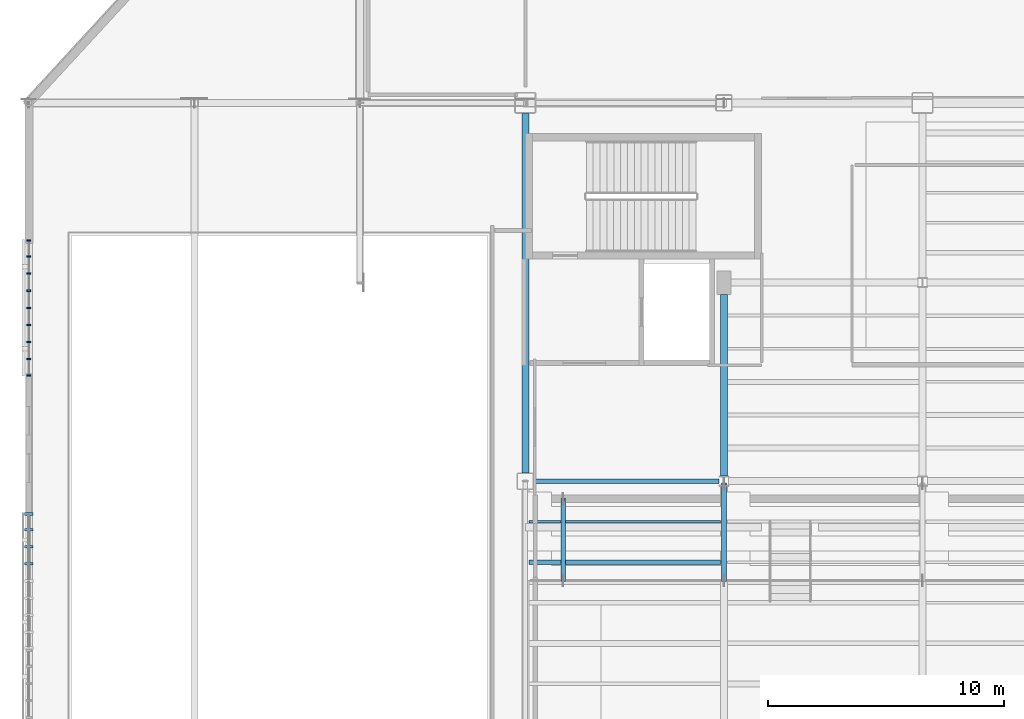
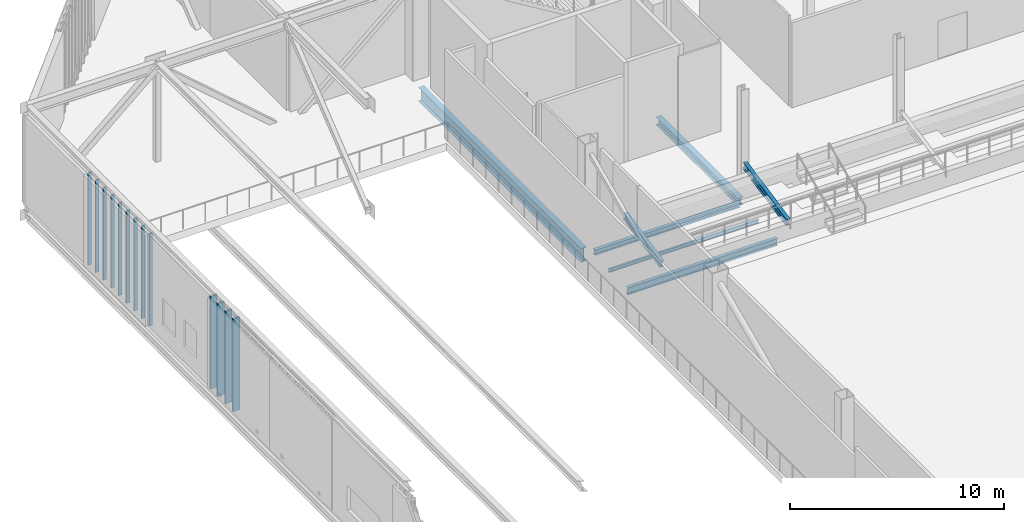
# One storey, part 26 of 135: 15 members, 5 beams, 2 elements without a shape of their own.
"""IFC4 building model written with IfcOpenShell, lengths in metres."""

from ifc_helpers import new_model, si_unit, direction, frame, origin, origin_2d, place, context, subcontext, project, spatial, rectangle, i_section, extrude, material, material_profile, profile_set, type_object, element, aggregate, save


model = new_model("IFC4")

# Units and contexts
model_context = context("Model", 3, precision=1e-05, world=origin(), true_north=direction((0.0, 1.0)))
body_context = subcontext(model_context, "Body", "Model", "MODEL_VIEW")
ifc_project = project(units=[si_unit("LENGTHUNIT", "METRE"), si_unit("AREAUNIT", "SQUARE_METRE"), si_unit("VOLUMEUNIT", "CUBIC_METRE"), si_unit("PLANEANGLEUNIT", "RADIAN"), si_unit("MASSUNIT", "GRAM", prefix="KILO")], contexts=[model_context])

# Site, building, storey
site_placement = place(None, origin())
site = spatial("IfcSite", under=ifc_project, at=site_placement, CompositionType="ELEMENT")
building_placement = place(site_placement, origin())
building = spatial("IfcBuilding", under=site, at=building_placement, Name="Larkvane Passage Sports Hall", CompositionType="ELEMENT")
storey_placement = place(building_placement, frame((0.0, 0.0, 10.800048828125)))
storey = spatial("IfcBuildingStorey", under=building, at=storey_placement, Name="L02", CompositionType="ELEMENT", Elevation=10.800048828125)

# Beams
ifc_material_1 = material(Name="Steel S355JR", Category="steel")
ifc_material_profile_1 = material_profile(ifc_material_1, i_section(OverallWidth=0.199951171875, OverallDepth=0.2939453125, WebThickness=0.008056640625, FlangeThickness=0.011962890625, FilletRadius=0.012939453125, at=origin_2d()), Name="H-294x200x8x12")
ifc_profile_set_1 = profile_set([ifc_material_profile_1], Name="Steel S355JR")
beam_type_1 = type_object("IfcBeamType", Name="BM-STL-H294", PredefinedType="BEAM", material=ifc_profile_set_1)
beam_1_placement = place(storey_placement, frame((35.14990234375, 75.60009765625, -0.567138671875), z_axis=(1.0, 0.0, 0.0), x_axis=(0.0, 1.0, 0.0)))
element("IfcBeam", 1, at=beam_1_placement, inside=storey, type_object=beam_type_1, Name="Girder BM5-X-L02-J-0716", PredefinedType="BEAM", context=body_context, shape_type="SweptSolid", body=[
    extrude(i_section(OverallWidth=0.199951171875, OverallDepth=0.2939453125, WebThickness=0.008056640625, FlangeThickness=0.011962890625, FilletRadius=0.012939453125, at=origin_2d()), origin(), (0.0, 0.0, 1.0), 7.8466796875),
])
ifc_material_profile_2 = material_profile(ifc_material_1, i_section(OverallWidth=0.300048828125, OverallDepth=0.43994140625, WebThickness=0.010986328125, FlangeThickness=0.01806640625, FilletRadius=0.01806640625, at=origin_2d()), Name="H-440x300x11x18")
ifc_profile_set_2 = profile_set([ifc_material_profile_2], Name="Steel S355JR")
beam_type_2 = type_object("IfcBeamType", Name="BM-STL-H440", PredefinedType="BEAM", material=ifc_profile_set_2)
beam_2_placement = place(storey_placement, frame((43.199951171875, 75.81396484375, -0.64013671875), z_axis=(0.0, 1.0, 0.0), x_axis=(-1.0, 0.0, 0.0)))
element("IfcBeam", 2, at=beam_2_placement, inside=storey, type_object=beam_type_2, Name="Girder BM5-Y-L02-7-0744", PredefinedType="BEAM", context=body_context, shape_type="SweptSolid", body=[
    extrude(i_section(OverallWidth=0.300048828125, OverallDepth=0.43994140625, WebThickness=0.010986328125, FlangeThickness=0.01806640625, FilletRadius=0.01806640625, at=origin_2d()), origin(), (0.0, 0.0, 1.0), 7.68603515625),
])
ifc_material_2 = material(Name="Steel S460N", Category="steel")
ifc_material_profile_3 = material_profile(ifc_material_2, i_section(OverallWidth=0.300048828125, OverallDepth=0.7919921875, WebThickness=0.013916015625, FlangeThickness=0.02197265625, FilletRadius=0.02197265625, at=origin_2d()), Name="H-792x300x14x22")
ifc_profile_set_3 = profile_set([ifc_material_profile_3], Name="Steel S460N")
beam_type_3 = type_object("IfcBeamType", Name="BM-STL-H792", PredefinedType="BEAM", material=ifc_profile_set_3)
beam_3_placement = place(storey_placement, frame((34.800048828125, 75.949951171875, -0.816162109375), z_axis=(0.0, 1.0, 0.0), x_axis=(-1.0, 0.0, 0.0)))
element("IfcBeam", 3, at=beam_3_placement, inside=storey, type_object=beam_type_3, Name="Girder BM5-Y-L02-6-0740", PredefinedType="BEAM", context=body_context, shape_type="SweptSolid", body=[
    extrude(i_section(OverallWidth=0.300048828125, OverallDepth=0.7919921875, WebThickness=0.013916015625, FlangeThickness=0.02197265625, FilletRadius=0.02197265625, at=origin_2d()), origin(), (0.0, 0.0, 1.0), 15.199951171875),
])

# Curtain wall, members
ifc_material_3 = material(Name="Thermally broken aluminium and low-E glazing", Category="aluminium")
curtain_wall_type_1 = type_object("IfcCurtainWallType", Name="CW-CLINIC", PredefinedType="USERDEFINED", material=ifc_material_3)
curtain_wall_1_placement = place(storey_placement, origin())
curtain_wall_1 = element("IfcCurtainWall", 4, at=curtain_wall_1_placement, inside=storey, type_object=curtain_wall_type_1, Name="Curtain wall CW5-L02-095", ObjectType="UNITISED CURTAIN WALL", PredefinedType="USERDEFINED")
ifc_material_4 = material(Name="Anodised aluminium 6063-T6", Category="aluminium")
ifc_material_profile_4 = material_profile(ifc_material_4, rectangle(XDim=0.110107421875, YDim=0.360107421875, at=origin_2d()), Name="ALU-MUL-110x360")
ifc_profile_set_4 = profile_set([ifc_material_profile_4], Name="Anodised aluminium 6063-T6")
member_type_1 = type_object("IfcMemberType", Name="CW-MUL-110x360", PredefinedType="MULLION", material=ifc_profile_set_4)
member_1_placement = place(storey_placement, frame((13.800048828125, 72.10009765625, 0.0), z_axis=(0.0, 0.0, 1.0), x_axis=(0.0, 1.0, 0.0)))
member_1 = element("IfcMember", 5, at=member_1_placement, type_object=member_type_1, Name="CW-05 mullion 6", PredefinedType="MULLION", context=body_context, shape_type="SweptSolid", body=[
    extrude(rectangle(XDim=0.110107421875, YDim=0.360107421875, at=origin_2d()), origin(), (0.0, 0.0, 1.0), 5.27783203125),
])
member_2_placement = place(storey_placement, frame((13.800048828125, 72.822265625, 0.0), z_axis=(0.0, 0.0, 1.0), x_axis=(0.0, 1.0, 0.0)))
member_2 = element("IfcMember", 6, at=member_2_placement, type_object=member_type_1, Name="CW-05 mullion 7", PredefinedType="MULLION", context=body_context, shape_type="SweptSolid", body=[
    extrude(rectangle(XDim=0.110107421875, YDim=0.360107421875, at=origin_2d()), origin(), (0.0, 0.0, 1.0), 5.27783203125),
])
member_3_placement = place(storey_placement, frame((13.800048828125, 73.54443359375, 0.0), z_axis=(0.0, 0.0, 1.0), x_axis=(0.0, 1.0, 0.0)))
member_3 = element("IfcMember", 7, at=member_3_placement, type_object=member_type_1, Name="CW-05 mullion 8", PredefinedType="MULLION", context=body_context, shape_type="SweptSolid", body=[
    extrude(rectangle(XDim=0.110107421875, YDim=0.360107421875, at=origin_2d()), origin(), (0.0, 0.0, 1.0), 5.27783203125),
])
member_4_placement = place(storey_placement, frame((13.800048828125, 74.211669921875, 0.0), z_axis=(0.0, 0.0, 1.0), x_axis=(0.0, 1.0, 0.0)))
member_4 = element("IfcMember", 8, at=member_4_placement, type_object=member_type_1, Name="CW-05 mullion 9", PredefinedType="MULLION", context=body_context, shape_type="SweptSolid", body=[
    extrude(rectangle(XDim=0.110107421875, YDim=0.360107421875, at=origin_2d()), origin(), (0.0, 0.0, 1.0), 5.27783203125),
])
aggregate(curtain_wall_1, [member_1, member_2, member_3, member_4])

curtain_wall_type_2 = type_object("IfcCurtainWallType", Name="CW-UNIT-COURT", PredefinedType="USERDEFINED", material=ifc_material_3)
curtain_wall_2_placement = place(storey_placement, origin())
curtain_wall_2 = element("IfcCurtainWall", 9, at=curtain_wall_2_placement, inside=storey, type_object=curtain_wall_type_2, Name="Curtain wall CW5-L02-096", ObjectType="UNITISED CURTAIN WALL", PredefinedType="USERDEFINED")
ifc_material_profile_5 = material_profile(ifc_material_4, rectangle(XDim=0.06494140625, YDim=0.179931640625, at=origin_2d()), Name="ALU-MUL-65x180")
ifc_profile_set_5 = profile_set([ifc_material_profile_5], Name="Anodised aluminium 6063-T6")
member_type_2 = type_object("IfcMemberType", Name="CW-MUL-65x180", PredefinedType="MULLION", material=ifc_profile_set_5)
member_5_placement = place(storey_placement, frame((13.800048828125, 80.076904296875, 0.0), z_axis=(0.0, 0.0, 1.0), x_axis=(0.0, 1.0, 0.0)))
member_5 = element("IfcMember", 10, at=member_5_placement, type_object=member_type_2, Name="CW-01 mullion 1", PredefinedType="MULLION", context=body_context, shape_type="SweptSolid", body=[
    extrude(rectangle(XDim=0.06494140625, YDim=0.179931640625, at=origin_2d()), origin(), (0.0, 0.0, 1.0), 5.27783203125),
])
member_6_placement = place(storey_placement, frame((13.800048828125, 80.7666015625, 0.0), z_axis=(0.0, 0.0, 1.0), x_axis=(0.0, 1.0, 0.0)))
member_6 = element("IfcMember", 11, at=member_6_placement, type_object=member_type_2, Name="CW-01 mullion 2", PredefinedType="MULLION", context=body_context, shape_type="SweptSolid", body=[
    extrude(rectangle(XDim=0.06494140625, YDim=0.179931640625, at=origin_2d()), origin(), (0.0, 0.0, 1.0), 5.27783203125),
])
member_7_placement = place(storey_placement, frame((13.800048828125, 81.48876953125, 0.0), z_axis=(0.0, 0.0, 1.0), x_axis=(0.0, 1.0, 0.0)))
member_7 = element("IfcMember", 12, at=member_7_placement, type_object=member_type_2, Name="CW-01 mullion 3", PredefinedType="MULLION", context=body_context, shape_type="SweptSolid", body=[
    extrude(rectangle(XDim=0.06494140625, YDim=0.179931640625, at=origin_2d()), origin(), (0.0, 0.0, 1.0), 5.27783203125),
])
member_8_placement = place(storey_placement, frame((13.800048828125, 82.211181640625, 0.0), z_axis=(0.0, 0.0, 1.0), x_axis=(0.0, 1.0, 0.0)))
member_8 = element("IfcMember", 13, at=member_8_placement, type_object=member_type_2, Name="CW-01 mullion 4", PredefinedType="MULLION", context=body_context, shape_type="SweptSolid", body=[
    extrude(rectangle(XDim=0.06494140625, YDim=0.179931640625, at=origin_2d()), origin(), (0.0, 0.0, 1.0), 5.27783203125),
])
member_9_placement = place(storey_placement, frame((13.800048828125, 82.933349609375, 0.0), z_axis=(0.0, 0.0, 1.0), x_axis=(0.0, 1.0, 0.0)))
member_9 = element("IfcMember", 14, at=member_9_placement, type_object=member_type_2, Name="CW-01 mullion 5", PredefinedType="MULLION", context=body_context, shape_type="SweptSolid", body=[
    extrude(rectangle(XDim=0.06494140625, YDim=0.179931640625, at=origin_2d()), origin(), (0.0, 0.0, 1.0), 5.27783203125),
])
member_10_placement = place(storey_placement, frame((13.800048828125, 83.655517578125, 0.0), z_axis=(0.0, 0.0, 1.0), x_axis=(0.0, 1.0, 0.0)))
member_10 = element("IfcMember", 15, at=member_10_placement, type_object=member_type_2, Name="CW-01 mullion 6", PredefinedType="MULLION", context=body_context, shape_type="SweptSolid", body=[
    extrude(rectangle(XDim=0.06494140625, YDim=0.179931640625, at=origin_2d()), origin(), (0.0, 0.0, 1.0), 5.27783203125),
])
member_11_placement = place(storey_placement, frame((13.800048828125, 84.377685546875, 0.0), z_axis=(0.0, 0.0, 1.0), x_axis=(0.0, 1.0, 0.0)))
member_11 = element("IfcMember", 16, at=member_11_placement, type_object=member_type_2, Name="CW-01 mullion 7", PredefinedType="MULLION", context=body_context, shape_type="SweptSolid", body=[
    extrude(rectangle(XDim=0.06494140625, YDim=0.179931640625, at=origin_2d()), origin(), (0.0, 0.0, 1.0), 5.27783203125),
])
member_12_placement = place(storey_placement, frame((13.800048828125, 85.099853515625, 0.0), z_axis=(0.0, 0.0, 1.0), x_axis=(0.0, 1.0, 0.0)))
member_12 = element("IfcMember", 17, at=member_12_placement, type_object=member_type_2, Name="CW-01 mullion 8", PredefinedType="MULLION", context=body_context, shape_type="SweptSolid", body=[
    extrude(rectangle(XDim=0.06494140625, YDim=0.179931640625, at=origin_2d()), origin(), (0.0, 0.0, 1.0), 5.27783203125),
])
member_13_placement = place(storey_placement, frame((13.800048828125, 85.789794921875, 0.0), z_axis=(0.0, 0.0, 1.0), x_axis=(0.0, 1.0, 0.0)))
member_13 = element("IfcMember", 18, at=member_13_placement, type_object=member_type_2, Name="CW-01 mullion 9", PredefinedType="MULLION", context=body_context, shape_type="SweptSolid", body=[
    extrude(rectangle(XDim=0.06494140625, YDim=0.179931640625, at=origin_2d()), origin(), (0.0, 0.0, 1.0), 5.27783203125),
])
aggregate(curtain_wall_2, [member_5, member_6, member_7, member_8, member_9, member_10, member_11, member_12, member_13])

# Beams
ifc_material_profile_6 = material_profile(ifc_material_1, i_section(OverallWidth=0.10009765625, OverallDepth=0.199951171875, WebThickness=0.005615234375, FlangeThickness=0.008056640625, FilletRadius=0.008056640625, at=origin_2d()), Name="H-200x100x5.5x8")
ifc_profile_set_6 = profile_set([ifc_material_profile_6], Name="Steel S355JR")
beam_type_4 = type_object("IfcBeamType", Name="JST-STL-H200", PredefinedType="JOIST", material=ifc_profile_set_6)
beam_4_placement = place(storey_placement, frame((34.949951171875, 73.8857421875, -0.52001953125), z_axis=(1.0, 0.0, 0.0), x_axis=(0.0, 1.0, 0.0)))
element("IfcBeam", 19, at=beam_4_placement, inside=storey, type_object=beam_type_4, Name="Composite joist L02 6/H-6", PredefinedType="JOIST", context=body_context, shape_type="SweptSolid", body=[
    extrude(i_section(OverallWidth=0.10009765625, OverallDepth=0.199951171875, WebThickness=0.005615234375, FlangeThickness=0.008056640625, FilletRadius=0.008056640625, at=origin_2d()), origin(), (0.0, 0.0, 1.0), 8.10009765625),
])
ifc_material_profile_7 = material_profile(ifc_material_1, i_section(OverallWidth=0.199951171875, OverallDepth=0.39990234375, WebThickness=0.008056640625, FlangeThickness=0.012939453125, FilletRadius=0.012939453125, at=origin_2d()), Name="H-400x200x8x13")
ifc_profile_set_7 = profile_set([ifc_material_profile_7], Name="Steel S355JR")
beam_type_5 = type_object("IfcBeamType", Name="JST-STL-H400", PredefinedType="JOIST", material=ifc_profile_set_7)
beam_5_placement = place(storey_placement, frame((34.949951171875, 72.17138671875, -0.6201171875), z_axis=(1.0, 0.0, 0.0), x_axis=(0.0, 1.0, 0.0)))
element("IfcBeam", 20, at=beam_5_placement, inside=storey, type_object=beam_type_5, Name="Composite joist L02 6/H-5", PredefinedType="JOIST", context=body_context, shape_type="SweptSolid", body=[
    extrude(i_section(OverallWidth=0.199951171875, OverallDepth=0.39990234375, WebThickness=0.008056640625, FlangeThickness=0.012939453125, FilletRadius=0.012939453125, at=origin_2d()), origin(), (0.0, 0.0, 1.0), 8.10009765625),
])

# Members
ifc_material_profile_8 = material_profile(ifc_material_1, i_section(OverallWidth=0.199951171875, OverallDepth=0.39990234375, WebThickness=0.008056640625, FlangeThickness=0.012939453125, FilletRadius=0.012939453125, at=origin_2d()), Name="H-400x200x8x13")
ifc_profile_set_8 = profile_set([ifc_material_profile_8], Name="Steel S355JR")
member_type_3 = type_object("IfcMemberType", Name="MBR-RF-H400", PredefinedType="RAFTER", material=ifc_profile_set_8)
member_14_placement = place(storey_placement, frame((36.39990234375, 71.39990234375, 0.849853515625), z_axis=(0.0, 0.980021970452, 0.198889259217), x_axis=(-1.0, 0.0, 0.0)))
element("IfcMember", 21, at=member_14_placement, inside=storey, type_object=member_type_3, Name="Arena stand raker N1", PredefinedType="RAFTER", context=body_context, shape_type="SweptSolid", body=[
    extrude(i_section(OverallWidth=0.199951171875, OverallDepth=0.39990234375, WebThickness=0.008056640625, FlangeThickness=0.012939453125, FilletRadius=0.012939453125, at=origin_2d()), origin(), (0.0, 0.0, 1.0), 3.5205078125),
])
member_15_placement = place(storey_placement, frame((43.199951171875, 71.39990234375, 0.849853515625), z_axis=(0.0, 0.98002959686, 0.198851676581), x_axis=(-1.0, 0.0, 0.0)))
element("IfcMember", 22, at=member_15_placement, inside=storey, type_object=member_type_3, Name="Arena stand raker N2", PredefinedType="RAFTER", context=body_context, shape_type="SweptSolid", body=[
    extrude(i_section(OverallWidth=0.199951171875, OverallDepth=0.39990234375, WebThickness=0.008056640625, FlangeThickness=0.012939453125, FilletRadius=0.012939453125, at=origin_2d()), origin(), (0.0, 0.0, 1.0), 4.16943359375),
])

save(model, "model.ifc")
